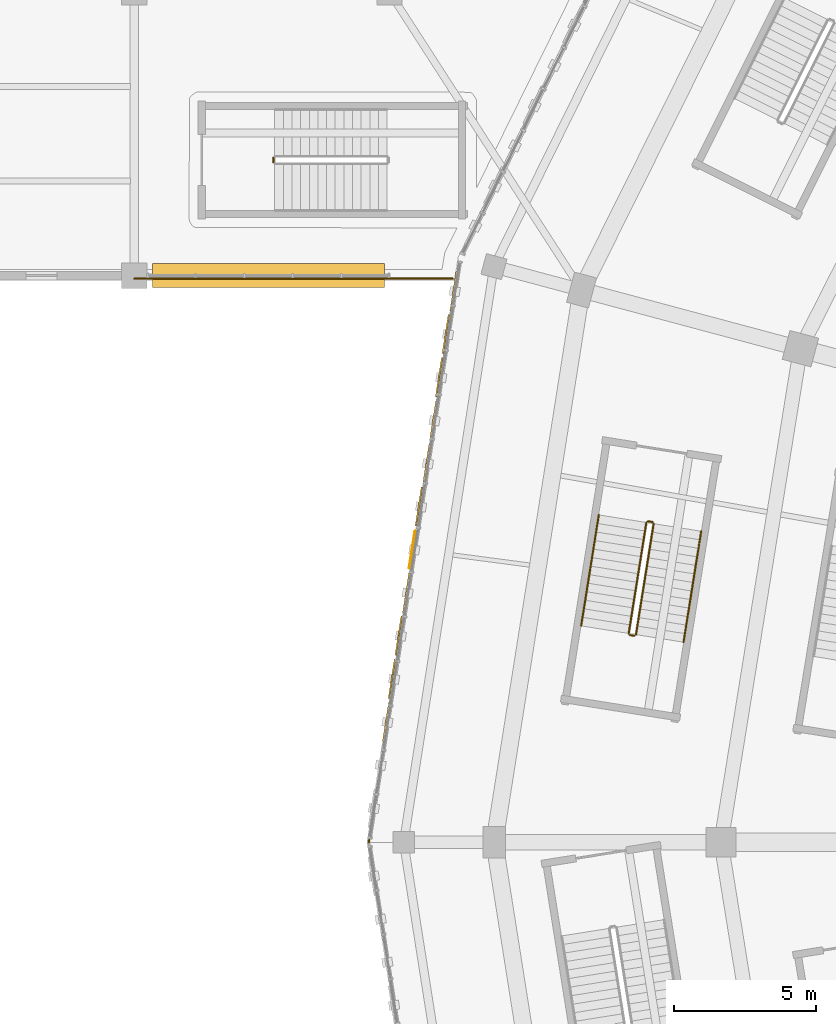
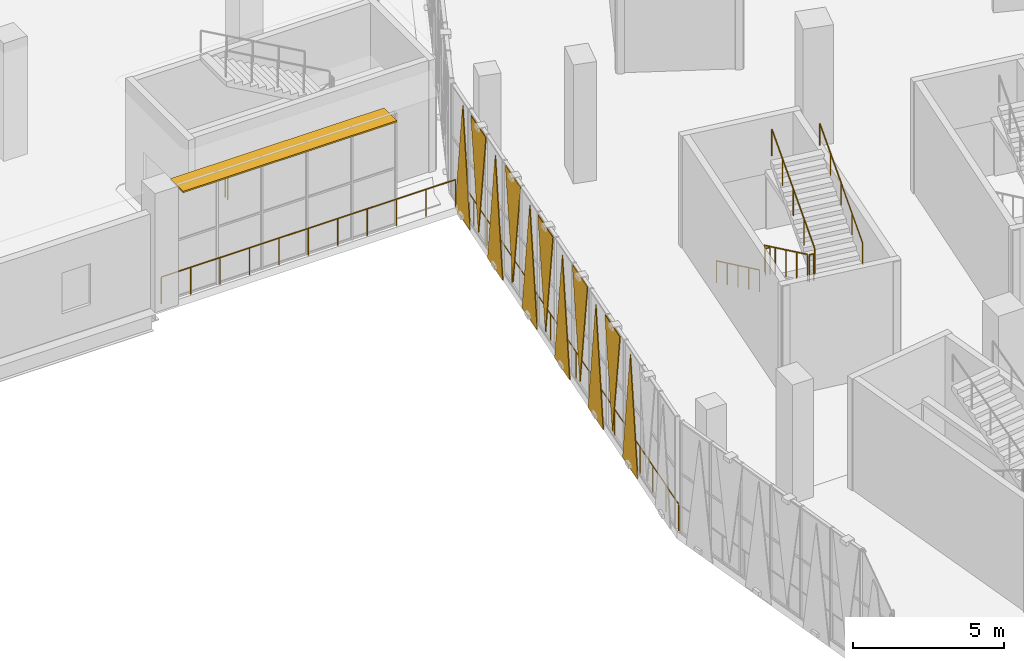
# One storey, part 139 of 183: 11 coverings, 9 railings, 1 shading device.
"""IFC4 building model written with IfcOpenShell, lengths in metres."""

import ifcopenshell
import ifcopenshell.guid

model = None  # the IFC model being written
_history = None  # IfcOwnerHistory: only IFC2X3 demands one
_inside = {}  # id of a spatial element -> (the spatial element, [elements in it])
_under = {}  # id of a project, library or spatial element -> (it, [spatial elements below it])
_declared = {}  # id of a project -> (the project, [libraries it declares])
_typed = {}  # id of a type object -> (the type object, [elements of that type])
_made_of = {}  # id of a material, layer set ... -> (it, [elements and type objects made of it])


def new_model(schema):
    """Start an empty IFC model of exactly this schema.

    Asked for "IFC4X3", IfcOpenShell would pick the latest addendum, in which some entities
    have other attributes; the version numbers below select the first issue.
    IFC2X3 requires an IfcOwnerHistory on every rooted entity: one is made here for all.
    """
    global model, _history
    if schema == "IFC4X3":
        model = ifcopenshell.file(schema_version=(4, 3, 0, 0))
    else:
        model = ifcopenshell.file(schema=schema)
    _inside.clear()
    _under.clear()
    _declared.clear()
    _typed.clear()
    _made_of.clear()
    _history = None
    if model.schema == "IFC2X3":
        org = make("IfcOrganization", Name="unknown")
        user = make(
            "IfcPersonAndOrganization",
            ThePerson=make("IfcPerson", FamilyName="unknown"),
            TheOrganization=org,
        )
        app = make(
            "IfcApplication",
            ApplicationDeveloper=org,
            Version="unknown",
            ApplicationFullName="unknown",
            ApplicationIdentifier="unknown",
        )
        _history = make(
            "IfcOwnerHistory",
            OwningUser=user,
            OwningApplication=app,
            ChangeAction="ADDED",
            CreationDate=0,
        )
    return model


def make(cls, **values):
    """One entity of the class cls with the attributes given. An attribute that is None is left unset."""
    return model.create_entity(
        cls, **{name: value for name, value in values.items() if value is not None}
    )


def rooted(cls, **values):
    """An entity with a GlobalId (a new one), such as an element, a storey or a relation."""
    return make(cls, GlobalId=ifcopenshell.guid.new(), OwnerHistory=_history, **values)


def si_unit(unit_type, name, prefix=None):
    """IfcSIUnit, for example si_unit("LENGTHUNIT", "METRE", prefix="MILLI")."""
    return make("IfcSIUnit", UnitType=unit_type, Prefix=prefix, Name=name)


def assignment(units):
    """IfcUnitAssignment: the units of a project."""
    return None if units is None else make("IfcUnitAssignment", Units=units)


def point(xyz):
    """IfcCartesianPoint."""
    return None if xyz is None else make("IfcCartesianPoint", Coordinates=xyz)


def direction(xyz):
    """IfcDirection."""
    return None if xyz is None else make("IfcDirection", DirectionRatios=xyz)


def frame(location, z_axis=None, x_axis=None):
    """IfcAxis2Placement3D, a coordinate frame: its origin and axes. An axis left out is left unset."""
    return make(
        "IfcAxis2Placement3D",
        Location=point(location),
        Axis=direction(z_axis),
        RefDirection=direction(x_axis),
    )


def frame_2d(location, x_axis=None):
    """IfcAxis2Placement2D, a coordinate frame in the plane: its origin and x axis."""
    return make(
        "IfcAxis2Placement2D", Location=point(location), RefDirection=direction(x_axis)
    )


def origin():
    """The frame at (0, 0, 0) with its axes left unset."""
    return frame((0.0, 0.0, 0.0))


def origin_2d():
    """The frame at (0, 0) in the plane with its x axis left unset."""
    return frame_2d((0.0, 0.0))


def place(relative_to, where):
    """IfcLocalPlacement: puts the frame where relative to a parent placement (None: the world)."""
    return make(
        "IfcLocalPlacement", PlacementRelTo=relative_to, RelativePlacement=where
    )


def context(
    kind, dimensions, precision=None, world=None, true_north=None, identifier=None
):
    """IfcGeometricRepresentationContext, for example the 3D "Model" context."""
    return make(
        "IfcGeometricRepresentationContext",
        ContextIdentifier=identifier,
        ContextType=kind,
        CoordinateSpaceDimension=dimensions,
        Precision=precision,
        WorldCoordinateSystem=world,
        TrueNorth=true_north,
    )


def subcontext(parent, identifier, kind, view, scale=None):
    """IfcGeometricRepresentationSubContext, for example "Body" below "Model"."""
    return make(
        "IfcGeometricRepresentationSubContext",
        ContextIdentifier=identifier,
        ContextType=kind,
        ParentContext=parent,
        TargetScale=scale,
        TargetView=view,
    )


def project(units=None, contexts=None):
    """IfcProject with its units and contexts."""
    return rooted(
        "IfcProject",
        Name="project",
        RepresentationContexts=contexts,
        UnitsInContext=assignment(units),
    )


def spatial(cls, under=None, at=None, **own):
    """A site, building, storey or space (cls), placed at a placement, below another one or the project."""
    s = rooted(cls, ObjectPlacement=at, **own)
    if under is not None:
        _under.setdefault(under.id(), (under, []))[1].append(s)
    return s


def polyline(points):
    """IfcPolyline through the points."""
    return make("IfcPolyline", Points=[point(p) for p in points])


def profile(cls, at=None, kind="AREA", **sizes):
    """A parametric profile (cls). Its sizes go by their IFC names, for example OverallWidth=200.0."""
    return make(cls, ProfileType=kind, Position=at, **sizes)


def rectangle(**sizes):
    """IfcRectangleProfileDef."""
    return profile("IfcRectangleProfileDef", **sizes)


def circle(**sizes):
    """IfcCircleProfileDef."""
    return profile("IfcCircleProfileDef", **sizes)


def outline(outer, holes=None, kind="AREA"):
    """IfcArbitraryClosedProfileDef: a profile drawn as a closed curve; with holes, ...WithVoids."""
    if holes is None:
        return make("IfcArbitraryClosedProfileDef", ProfileType=kind, OuterCurve=outer)
    return make(
        "IfcArbitraryProfileDefWithVoids",
        ProfileType=kind,
        OuterCurve=outer,
        InnerCurves=holes,
    )


def extrude(swept, where, along, depth):
    """IfcExtrudedAreaSolid: the profile swept, set in the frame where, extruded along a direction by depth."""
    return make(
        "IfcExtrudedAreaSolid",
        SweptArea=swept,
        Position=where,
        ExtrudedDirection=direction(along),
        Depth=depth,
    )


def shape(context_of_items, identifier, shape_type, items):
    """IfcShapeRepresentation: the items that make up one representation, for example the "Body"."""
    return make(
        "IfcShapeRepresentation",
        ContextOfItems=context_of_items,
        RepresentationIdentifier=identifier,
        RepresentationType=shape_type,
        Items=items,
    )


def material(Name=None, Category=None):
    """IfcMaterial."""
    return make("IfcMaterial", Name=Name, Category=Category)


def layer(
    of_material, thickness, ventilated=None, Name=None, Category=None, Priority=None
):
    """IfcMaterialLayer: one layer of a wall or slab, of a material (None: an air gap)."""
    return make(
        "IfcMaterialLayer",
        Material=of_material,
        LayerThickness=thickness,
        IsVentilated=ventilated,
        Name=Name,
        Category=Category,
        Priority=Priority,
    )


def layer_set(layers, Name=None):
    """IfcMaterialLayerSet."""
    return make("IfcMaterialLayerSet", MaterialLayers=layers, LayerSetName=Name)


def made_of(thing, what):
    """Note that an element or type object is made of a material, layer set ...; save() writes the relation."""
    if what is not None:
        _made_of.setdefault(what.id(), (what, []))[1].append(thing)
    return thing


def type_object(cls, material=None, **own):
    """A type object (cls), such as IfcWallType, which elements share."""
    return made_of(rooted(cls, **own), material)


def element(
    cls,
    number,
    at=None,
    inside=None,
    cuts=None,
    type_object=None,
    material=None,
    context=None,
    identifier="Body",
    shape_type=None,
    held_by="IfcProductDefinitionShape",
    body=None,
    shapes=None,
    **own,
):
    """One element of the class cls, such as IfcWall. Its Tag is "e" and its number.

    at: its placement. inside: the storey or other place that contains it. cuts: it is an
    opening in that element (IfcRelVoidsElement). A single representation is given by context,
    identifier, shape_type and body (its items); several are given by shapes. held_by: the class
    of the entity that holds the representations. save() writes the other relations.
    """
    e = rooted(cls, Tag="e%d" % number, ObjectPlacement=at, **own)
    if body is not None:
        shapes = [shape(context, identifier, shape_type, body)]
    if shapes is not None:
        e.Representation = make(held_by, Representations=shapes)
    if inside is not None:
        _inside.setdefault(inside.id(), (inside, []))[1].append(e)
    if cuts is not None:
        rooted(
            "IfcRelVoidsElement", RelatingBuildingElement=cuts, RelatedOpeningElement=e
        )
    if type_object is not None:
        _typed.setdefault(type_object.id(), (type_object, []))[1].append(e)
    return made_of(e, material)


def aggregate(whole, parts):
    """IfcRelAggregates: a whole, such as a stair, and the parts it consists of."""
    return rooted("IfcRelAggregates", RelatingObject=whole, RelatedObjects=parts)


def save(model, path):
    """Write the relations noted so far, then the file.

    IfcRelAggregates (storeys below a building ...), IfcRelContainedInSpatialStructure (elements
    in a storey), IfcRelDefinesByType, IfcRelAssociatesMaterial and IfcRelDeclares: one each for
    every whole, place, type object, material and project.
    """
    for whole, parts in _under.values():
        aggregate(whole, parts)
    for where, things in _inside.values():
        rooted(
            "IfcRelContainedInSpatialStructure",
            RelatedElements=things,
            RelatingStructure=where,
        )
    for kind, things in _typed.values():
        rooted("IfcRelDefinesByType", RelatedObjects=things, RelatingType=kind)
    for what, things in _made_of.values():
        rooted("IfcRelAssociatesMaterial", RelatedObjects=things, RelatingMaterial=what)
    for by, libraries in _declared.values():
        rooted("IfcRelDeclares", RelatingContext=by, RelatedDefinitions=libraries)
    model.write(path)


model = new_model("IFC4")

# Units and contexts
model_context = context("Model", 3, precision=1e-05, world=origin(), true_north=direction((0.0, 1.0)))
body_context = subcontext(model_context, "Body", "Model", "MODEL_VIEW")
ifc_project = project(units=[si_unit("LENGTHUNIT", "METRE"), si_unit("AREAUNIT", "SQUARE_METRE"), si_unit("VOLUMEUNIT", "CUBIC_METRE"), si_unit("PLANEANGLEUNIT", "RADIAN"), si_unit("MASSUNIT", "GRAM", prefix="KILO")], contexts=[model_context])

# Site, building, storey
site_placement = place(None, origin())
site = spatial("IfcSite", under=ifc_project, at=site_placement, CompositionType="ELEMENT")
building_placement = place(site_placement, origin())
building = spatial("IfcBuilding", under=site, at=building_placement, Name="Zevraka Park Crest Stadium", CompositionType="ELEMENT")
storey_placement = place(building_placement, frame((0.0, 0.0, 5.39990234375)))
storey = spatial("IfcBuildingStorey", under=building, at=storey_placement, Name="L01", CompositionType="ELEMENT", Elevation=5.39990234375)

# Coverings
ifc_material_1 = material(Name="Architectural golden-bronze perforated aluminium", Category="aluminium")
ifc_layer_1 = layer(ifc_material_1, 0.034912109375)
ifc_layer_set_1 = layer_set([ifc_layer_1], Name="Architectural golden-bronze perforated aluminium")
covering_type = type_object("IfcCoveringType", Name="CLD01", PredefinedType="CLADDING", material=ifc_layer_set_1)
covering_1_placement = place(storey_placement, frame((20.347900390625, 112.1298828125, -0.260009765625), z_axis=(-0.988000205868, 0.154452524116, 0.000104872116), x_axis=(-0.154452524965, -0.988000211302, 0.0)))
element("IfcCovering", 1, at=covering_1_placement, inside=storey, type_object=covering_type, Name="Triangular Golden-Bronze Perforated Cladding L01-11-1", PredefinedType="CLADDING", context=body_context, shape_type="SweptSolid", body=[
    extrude(outline(polyline([(0.0, 0.0), (1.3783563917015642, -3.3881317890172014e-21), (0.6891027795788266, 4.600097681546307), (0.0, 0.0)])), origin(), (0.0, 0.0, -1.0), 0.034912109375),
])
covering_2_placement = place(storey_placement, frame((19.89697265625, 109.248046875, 4.5), z_axis=(0.987977397613, -0.154598363168, 8.894839e-05), x_axis=(0.15459836378, 0.987977401521, 0.0)))
element("IfcCovering", 2, at=covering_2_placement, inside=storey, type_object=covering_type, Name="Triangular Golden-Bronze Perforated Cladding L01-11-2", PredefinedType="CLADDING", context=body_context, shape_type="SweptSolid", body=[
    extrude(outline(polyline([(0.0, 0.0), (1.3786353258463413, 0.0), (0.6892536758247599, -4.279785173180437), (0.0, 0.0)])), origin(), (0.0, 0.0, -1.0), 0.034912109375),
])
covering_3_placement = place(storey_placement, frame((19.873046875, 109.090087890625, -0.260009765625), z_axis=(0.98799431223, -0.154490244416, 5.8155496e-05), x_axis=(-0.154490244678, -0.9879943139, 0.0)))
element("IfcCovering", 3, at=covering_3_placement, inside=storey, type_object=covering_type, Name="Triangular Golden-Bronze Perforated Cladding L01-11-3", PredefinedType="CLADDING", context=body_context, shape_type="SweptSolid", body=[
    extrude(outline(polyline([(0.0, 0.0), (1.3796001557884008, 0.0), (0.6904596777847686, -4.600097664028908), (0.0, 0.0)])), origin(), (0.0, 0.0, -1.0), 0.034912109375),
])
covering_4_placement = place(storey_placement, frame((19.422119140625, 106.20703125, 4.5), z_axis=(-0.988004429804, 0.154425499693, 0.000108316949), x_axis=(0.154425500599, 0.9880044356, 0.0)))
element("IfcCovering", 4, at=covering_4_placement, inside=storey, type_object=covering_type, Name="Triangular Golden-Bronze Perforated Cladding L01-11-4", PredefinedType="CLADDING", context=body_context, shape_type="SweptSolid", body=[
    extrude(outline(polyline([(0.0, 0.0), (1.378597603206358, 0.0), (0.6891027925165095, 4.279785181356422), (0.0, 0.0)])), origin(), (0.0, 0.0, -1.0), 0.034912109375),
])
covering_5_placement = place(storey_placement, frame((19.39697265625, 106.049072265625, -0.260009765625), z_axis=(-0.988004429734, 0.154425499682, 0.000108970471), x_axis=(-0.154425500599, -0.9880044356, 0.0)))
element("IfcCovering", 5, at=covering_5_placement, inside=storey, type_object=covering_type, Name="Triangular Golden-Bronze Perforated Cladding L01-11-5", PredefinedType="CLADDING", context=body_context, shape_type="SweptSolid", body=[
    extrude(outline(polyline([(0.0, 0.0), (1.378597603206358, 0.0), (0.6893440045369196, 4.600097683562077), (0.0, 0.0)])), origin(), (0.0, 0.0, -1.0), 0.034912109375),
])
covering_6_placement = place(storey_placement, frame((18.946044921875, 103.166015625, 4.5), z_axis=(0.988021301672, -0.154317495085, 0.000134731109), x_axis=(0.154317496485, 0.98802131064, 0.0)))
element("IfcCovering", 6, at=covering_6_placement, inside=storey, type_object=covering_type, Name="Triangular Golden-Bronze Perforated Cladding L01-11-6", PredefinedType="CLADDING", context=body_context, shape_type="SweptSolid", body=[
    extrude(outline(polyline([(0.0, 0.0), (1.3795624595306466, 6.776263578034403e-21), (0.6892535397546717, -4.27978519509434), (0.0, 0.0)])), origin(), (0.0, 0.0, -1.0), 0.034912109375),
])
covering_7_placement = place(storey_placement, frame((18.922119140625, 103.008056640625, -0.260009765625), z_axis=(0.987868977422, -0.15528967435, 2.2093708e-05), x_axis=(-0.155289674388, -0.987868977663, 0.0)))
element("IfcCovering", 7, at=covering_7_placement, inside=storey, type_object=covering_type, Name="Triangular Golden-Bronze Perforated Cladding L01-11-7", PredefinedType="CLADDING", context=body_context, shape_type="SweptSolid", body=[
    extrude(outline(polyline([(0.0, 0.0), (1.3787866383835012, -8.470329472543003e-22), (0.6895328649256435, -4.600097657372728), (0.0, 0.0)])), origin(), (0.0, 0.0, -1.0), 0.034912109375),
])
covering_8_placement = place(storey_placement, frame((18.470947265625, 100.125, 4.5), z_axis=(-0.987994302166, 0.154490242843, 0.000154119859), x_axis=(0.154490244678, 0.9879943139, 0.0)))
element("IfcCovering", 8, at=covering_8_placement, inside=storey, type_object=covering_type, Name="Triangular Golden-Bronze Perforated Cladding L01-11-8", PredefinedType="CLADDING", context=body_context, shape_type="SweptSolid", body=[
    extrude(outline(polyline([(0.0, 0.0), (1.3796001557884008, -6.776263578034403e-21), (0.6900675988559086, 4.279785207078722), (0.0, 0.0)])), origin(), (0.0, 0.0, -1.0), 0.034912109375),
])
covering_9_placement = place(storey_placement, frame((18.446044921875, 99.967041015625, -0.260009765625), z_axis=(0.987977398776, -0.15459836335, 7.4549778e-05), x_axis=(-0.15459836378, -0.987977401521, 0.0)))
element("IfcCovering", 9, at=covering_9_placement, inside=storey, type_object=covering_type, Name="Triangular Golden-Bronze Perforated Cladding L01-11-9", PredefinedType="CLADDING", context=body_context, shape_type="SweptSolid", body=[
    extrude(outline(polyline([(0.0, 0.0), (1.3786353258463413, 0.0), (0.6894948812450532, -4.600097669032912), (0.0, 0.0)])), origin(), (0.0, 0.0, -1.0), 0.034912109375),
])
covering_10_placement = place(storey_placement, frame((17.9951171875, 97.0849609375, 4.5), z_axis=(0.988004429804, -0.154425499693, 0.000108316949), x_axis=(0.154425500599, 0.9880044356, 0.0)))
element("IfcCovering", 10, at=covering_10_placement, inside=storey, type_object=covering_type, Name="Triangular Golden-Bronze Perforated Cladding L01-11-10", PredefinedType="CLADDING", context=body_context, shape_type="SweptSolid", body=[
    extrude(outline(polyline([(0.0, 0.0), (1.378597603206358, 0.0), (0.6894948106898485, -4.279785181356422), (0.0, 0.0)])), origin(), (0.0, 0.0, -1.0), 0.034912109375),
])
covering_11_placement = place(storey_placement, frame((17.969970703125, 96.927001953125, -0.260009765625), z_axis=(-0.988021307121, 0.154317495936, 8.4399155e-05), x_axis=(-0.154317496485, -0.98802131064, 0.0)))
element("IfcCovering", 11, at=covering_11_placement, inside=storey, type_object=covering_type, Name="Triangular Golden-Bronze Perforated Cladding L01-11-11", PredefinedType="CLADDING", context=body_context, shape_type="SweptSolid", body=[
    extrude(outline(polyline([(0.0, 0.0), (1.3795624595306466, 0.0), (0.6891028390745102, 4.600097672633749), (0.0, 0.0)])), origin(), (0.0, 0.0, -1.0), 0.034912109375),
])

# Railings
ifc_material_2 = material(Name="Galvanised and bronze-finished steel balustrade", Category="steel")
railing_type_1 = type_object("IfcRailingType", Name="GR01", PredefinedType="GUARDRAIL", material=ifc_material_2)
railing_1_placement = place(storey_placement, frame((17.27099609375, 92.0, 0.0)))
element("IfcRailing", 12, at=railing_1_placement, inside=storey, type_object=railing_type_1, Name="Deck Edge Protection Guardrail GR01 L01-49", PredefinedType="GUARDRAIL", context=body_context, shape_type="SweptSolid", body=[
    extrude(circle(Radius=0.02392578125, at=origin_2d()), frame((0.0, 0.0, 1.076171875), z_axis=(0.154509544365, 0.987991295863, 0.0), x_axis=(-0.987991295863, 0.154509544365, 0.0)), (0.0, 0.0, 1.0), 19.985107421875),
    extrude(circle(Radius=0.02099609375, at=origin_2d()), origin(), (0.0, 0.0, 1.0), 1.052001953125),
    extrude(circle(Radius=0.02099609375, at=origin_2d()), frame((0.181640625, 1.161376953125, 0.0)), (0.0, 0.0, 1.0), 1.052001953125),
    extrude(circle(Radius=0.02099609375, at=origin_2d()), frame((0.36328125, 2.322998046875, 0.0)), (0.0, 0.0, 1.0), 1.052001953125),
    extrude(circle(Radius=0.02099609375, at=origin_2d()), frame((0.544921875, 3.484375, 0.0)), (0.0, 0.0, 1.0), 1.052001953125),
    extrude(circle(Radius=0.02099609375, at=origin_2d()), frame((0.7265625, 4.64599609375, 0.0)), (0.0, 0.0, 1.0), 1.052001953125),
    extrude(circle(Radius=0.02099609375, at=origin_2d()), frame((0.908203125, 5.807373046875, 0.0)), (0.0, 0.0, 1.0), 1.052001953125),
    extrude(circle(Radius=0.02099609375, at=origin_2d()), frame((1.08984375, 6.96875, 0.0)), (0.0, 0.0, 1.0), 1.052001953125),
    extrude(circle(Radius=0.02099609375, at=origin_2d()), frame((1.271484375, 8.13037109375, 0.0)), (0.0, 0.0, 1.0), 1.052001953125),
    extrude(circle(Radius=0.02099609375, at=origin_2d()), frame((1.453125, 9.291748046875, 0.0)), (0.0, 0.0, 1.0), 1.052001953125),
    extrude(circle(Radius=0.02099609375, at=origin_2d()), frame((1.634765625, 10.453369140625, 0.0)), (0.0, 0.0, 1.0), 1.052001953125),
    extrude(circle(Radius=0.02099609375, at=origin_2d()), frame((1.81640625, 11.61474609375, 0.0)), (0.0, 0.0, 1.0), 1.052001953125),
    extrude(circle(Radius=0.02099609375, at=origin_2d()), frame((1.998046875, 12.7763671875, 0.0)), (0.0, 0.0, 1.0), 1.052001953125),
    extrude(circle(Radius=0.02099609375, at=origin_2d()), frame((2.1796875, 13.937744140625, 0.0)), (0.0, 0.0, 1.0), 1.052001953125),
    extrude(circle(Radius=0.02099609375, at=origin_2d()), frame((2.361328125, 15.09912109375, 0.0)), (0.0, 0.0, 1.0), 1.052001953125),
    extrude(circle(Radius=0.02099609375, at=origin_2d()), frame((2.54296875, 16.2607421875, 0.0)), (0.0, 0.0, 1.0), 1.052001953125),
    extrude(circle(Radius=0.02099609375, at=origin_2d()), frame((2.724609375, 17.422119140625, 0.0)), (0.0, 0.0, 1.0), 1.052001953125),
    extrude(circle(Radius=0.02099609375, at=origin_2d()), frame((2.90625, 18.583740234375, 0.0)), (0.0, 0.0, 1.0), 1.052001953125),
    extrude(circle(Radius=0.02099609375, at=origin_2d()), frame((3.087890625, 19.7451171875, 0.0)), (0.0, 0.0, 1.0), 1.052001953125),
])
railing_2_placement = place(storey_placement, frame((20.22998046875, 111.89501953125, 0.0)))
element("IfcRailing", 13, at=railing_2_placement, inside=storey, type_object=railing_type_1, Name="Deck Edge Protection Guardrail GR01 L01-50", PredefinedType="GUARDRAIL", context=body_context, shape_type="SweptSolid", body=[
    extrude(circle(Radius=0.02392578125, at=origin_2d()), frame((0.0, 0.0, 1.076171875), z_axis=(-1.0, 0.0, 0.0), x_axis=(0.0, -1.0, 0.0)), (0.0, 0.0, 1.0), 11.239013671875),
    extrude(circle(Radius=0.02099609375, at=origin_2d()), origin(), (0.0, 0.0, 1.0), 1.052001953125),
    extrude(circle(Radius=0.02099609375, at=origin_2d()), frame((-1.1240234375, 0.0, 0.0)), (0.0, 0.0, 1.0), 1.052001953125),
    extrude(circle(Radius=0.02099609375, at=origin_2d()), frame((-2.247802734375, 0.0, 0.0)), (0.0, 0.0, 1.0), 1.052001953125),
    extrude(circle(Radius=0.02099609375, at=origin_2d()), frame((-3.37158203125, 0.0, 0.0)), (0.0, 0.0, 1.0), 1.052001953125),
    extrude(circle(Radius=0.02099609375, at=origin_2d()), frame((-4.49560546875, 0.0, 0.0)), (0.0, 0.0, 1.0), 1.052001953125),
    extrude(circle(Radius=0.02099609375, at=origin_2d()), frame((-5.61962890625, 0.0, 0.0)), (0.0, 0.0, 1.0), 1.052001953125),
    extrude(circle(Radius=0.02099609375, at=origin_2d()), frame((-6.743408203125, 0.0, 0.0)), (0.0, 0.0, 1.0), 1.052001953125),
    extrude(circle(Radius=0.02099609375, at=origin_2d()), frame((-7.8671875, 0.0, 0.0)), (0.0, 0.0, 1.0), 1.052001953125),
    extrude(circle(Radius=0.02099609375, at=origin_2d()), frame((-8.9912109375, 0.0, 0.0)), (0.0, 0.0, 1.0), 1.052001953125),
    extrude(circle(Radius=0.02099609375, at=origin_2d()), frame((-10.115234375, 0.0, 0.0)), (0.0, 0.0, 1.0), 1.052001953125),
    extrude(circle(Radius=0.02099609375, at=origin_2d()), frame((-11.239013671875, 0.0, 0.0)), (0.0, 0.0, 1.0), 1.052001953125),
])
ifc_material_3 = material(Name="Powder-coated tubular steel stairwell guard", Category="steel")
railing_type_2 = type_object("IfcRailingType", Name="GR03", PredefinedType="GUARDRAIL", material=ifc_material_3)
railing_3_placement = place(storey_placement, frame((27.066162109375, 103.285888671875, 0.171630859375)))
element("IfcRailing", 14, at=railing_3_placement, inside=storey, type_object=railing_type_2, Name="L01 ST12 stair guard 1", PredefinedType="GUARDRAIL", context=body_context, shape_type="SweptSolid", body=[
    extrude(circle(Radius=0.02392578125, at=origin_2d()), frame((0.0, 0.0, 1.076171875), z_axis=(-0.13708756972, -0.860903496765, 0.489951188881), x_axis=(0.987557931786, -0.157255624277, 0.0)), (0.0, 0.0, 1.0), 4.54833984375),
    extrude(circle(Radius=0.02099609375, at=origin_2d()), origin(), (0.0, 0.0, 1.0), 1.052001953125),
    extrude(circle(Radius=0.02099609375, at=origin_2d()), frame((-0.15576171875, -0.97900390625, 0.55712890625)), (0.0, 0.0, 1.0), 1.052001953125),
    extrude(circle(Radius=0.02099609375, at=origin_2d()), frame((-0.311767578125, -1.9580078125, 1.1142578125)), (0.0, 0.0, 1.0), 1.052001953125),
    extrude(circle(Radius=0.02099609375, at=origin_2d()), frame((-0.4677734375, -2.936767578125, 1.67138671875)), (0.0, 0.0, 1.0), 1.052001953125),
    extrude(circle(Radius=0.02099609375, at=origin_2d()), frame((-0.62353515625, -3.915771484375, 2.228515625)), (0.0, 0.0, 1.0), 1.052001953125),
])
railing_4_placement = place(storey_placement, frame((26.484130859375, 99.31298828125, 2.400146484375)))
element("IfcRailing", 15, at=railing_4_placement, inside=storey, type_object=railing_type_2, Name="L01 ST12 stair guard 2", PredefinedType="GUARDRAIL", context=body_context, shape_type="SweptSolid", body=[
    extrude(circle(Radius=0.02392578125, at=origin_2d()), frame((0.0, 0.0, 1.076171875), z_axis=(0.987564153079, -0.157216549872, 0.0), x_axis=(0.157216549872, 0.987564153079, 0.0)), (0.0, 0.0, 1.0), 0.159912109375),
    extrude(circle(Radius=0.02099609375, at=origin_2d()), origin(), (0.0, 0.0, 1.0), 1.052001953125),
    extrude(circle(Radius=0.02099609375, at=origin_2d()), frame((0.157958984375, -0.025146484375, 0.0)), (0.0, 0.0, 1.0), 1.052001953125),
])
railing_5_placement = place(storey_placement, frame((26.69921875, 99.329345703125, 2.571533203125)))
element("IfcRailing", 16, at=railing_5_placement, inside=storey, type_object=railing_type_2, Name="L01 ST12 stair guard 3", PredefinedType="GUARDRAIL", context=body_context, shape_type="SweptSolid", body=[
    extrude(circle(Radius=0.02392578125, at=origin_2d()), frame((0.0, 0.0, 1.076171875), z_axis=(0.13708756972, 0.860903496765, 0.489951188881), x_axis=(-0.987557931786, 0.157255624277, 0.0)), (0.0, 0.0, 1.0), 4.54833984375),
    extrude(circle(Radius=0.02099609375, at=origin_2d()), origin(), (0.0, 0.0, 1.0), 1.052001953125),
    extrude(circle(Radius=0.02099609375, at=origin_2d()), frame((0.15576171875, 0.97900390625, 0.55712890625)), (0.0, 0.0, 1.0), 1.052001953125),
    extrude(circle(Radius=0.02099609375, at=origin_2d()), frame((0.311767578125, 1.9580078125, 1.1142578125)), (0.0, 0.0, 1.0), 1.052001953125),
    extrude(circle(Radius=0.02099609375, at=origin_2d()), frame((0.4677734375, 2.936767578125, 1.67138671875)), (0.0, 0.0, 1.0), 1.052001953125),
    extrude(circle(Radius=0.02099609375, at=origin_2d()), frame((0.62353515625, 3.915771484375, 2.228515625)), (0.0, 0.0, 1.0), 1.052001953125),
])
railing_6_placement = place(storey_placement, frame((27.123291015625, 103.327392578125, 0.0)))
element("IfcRailing", 17, at=railing_6_placement, inside=storey, type_object=railing_type_2, Name="L01 ST12 stair guard 4", PredefinedType="GUARDRAIL", context=body_context, shape_type="SweptSolid", body=[
    extrude(circle(Radius=0.02392578125, at=origin_2d()), frame((0.0, 0.0, 1.076171875), z_axis=(0.987564153079, -0.157216549872, 0.0), x_axis=(0.157216549872, 0.987564153079, 0.0)), (0.0, 0.0, 1.0), 0.159912109375),
    extrude(circle(Radius=0.02099609375, at=origin_2d()), origin(), (0.0, 0.0, 1.0), 1.052001953125),
    extrude(circle(Radius=0.02099609375, at=origin_2d()), frame((0.157958984375, -0.025146484375, 0.0)), (0.0, 0.0, 1.0), 1.052001953125),
])
railing_7_placement = place(storey_placement, frame((13.89990234375, 116.0, 0.0)))
element("IfcRailing", 18, at=railing_7_placement, inside=storey, type_object=railing_type_2, Name="L01 ST48 stair guard 4", PredefinedType="GUARDRAIL", context=body_context, shape_type="SweptSolid", body=[
    extrude(circle(Radius=0.02392578125, at=origin_2d()), frame((0.0, 0.0, 1.076171875), z_axis=(0.0, 1.0, 0.0), x_axis=(-1.0, 0.0, 0.0)), (0.0, 0.0, 1.0), 0.159912109375),
    extrude(circle(Radius=0.02099609375, at=origin_2d()), origin(), (0.0, 0.0, 1.0), 1.052001953125),
    extrude(circle(Radius=0.02099609375, at=origin_2d()), frame((0.0, 0.159912109375, 0.0)), (0.0, 0.0, 1.0), 1.052001953125),
])
ifc_material_4 = material(Name="Brushed stainless steel continuous handrail", Category="steel")
railing_type_3 = type_object("IfcRailingType", Name="HR01", PredefinedType="HANDRAIL", material=ifc_material_4)
railing_8_placement = place(storey_placement, frame((25.38720703125, 103.55322265625, 0.171630859375)))
element("IfcRailing", 19, at=railing_8_placement, inside=storey, type_object=railing_type_3, Name="L01 ST12 stair handrail 1", PredefinedType="HANDRAIL", context=body_context, shape_type="SweptSolid", body=[
    extrude(circle(Radius=0.02392578125, at=origin_2d()), frame((0.0, 0.0, 0.8759765625), z_axis=(-0.137093904715, -0.860889602123, 0.489973830165), x_axis=(0.987556409005, -0.157265186968, 0.0)), (0.0, 0.0, 1.0), 4.54833984375),
    extrude(circle(Radius=0.02099609375, at=origin_2d()), origin(), (0.0, 0.0, 1.0), 0.851806640625),
    extrude(circle(Radius=0.02099609375, at=origin_2d()), frame((-0.15576171875, -0.97900390625, 0.55712890625)), (0.0, 0.0, 1.0), 0.851806640625),
    extrude(circle(Radius=0.02099609375, at=origin_2d()), frame((-0.311767578125, -1.957763671875, 1.1142578125)), (0.0, 0.0, 1.0), 0.851806640625),
    extrude(circle(Radius=0.02099609375, at=origin_2d()), frame((-0.4677734375, -2.9365234375, 1.67138671875)), (0.0, 0.0, 1.0), 0.851806640625),
    extrude(circle(Radius=0.02099609375, at=origin_2d()), frame((-0.62353515625, -3.91552734375, 2.228515625)), (0.0, 0.0, 1.0), 0.851806640625),
])
railing_9_placement = place(storey_placement, frame((28.378173828125, 99.06201171875, 2.571533203125)))
element("IfcRailing", 20, at=railing_9_placement, inside=storey, type_object=railing_type_3, Name="L01 ST12 stair handrail 2", PredefinedType="HANDRAIL", context=body_context, shape_type="SweptSolid", body=[
    extrude(circle(Radius=0.02392578125, at=origin_2d()), frame((0.0, 0.0, 0.8759765625), z_axis=(0.13708756972, 0.860903496765, 0.489951188881), x_axis=(-0.987557931786, 0.157255624277, 0.0)), (0.0, 0.0, 1.0), 4.54833984375),
    extrude(circle(Radius=0.02099609375, at=origin_2d()), origin(), (0.0, 0.0, 1.0), 0.851806640625),
    extrude(circle(Radius=0.02099609375, at=origin_2d()), frame((0.15576171875, 0.97900390625, 0.55712890625)), (0.0, 0.0, 1.0), 0.851806640625),
    extrude(circle(Radius=0.02099609375, at=origin_2d()), frame((0.311767578125, 1.9580078125, 1.1142578125)), (0.0, 0.0, 1.0), 0.851806640625),
    extrude(circle(Radius=0.02099609375, at=origin_2d()), frame((0.4677734375, 2.936767578125, 1.67138671875)), (0.0, 0.0, 1.0), 0.851806640625),
    extrude(circle(Radius=0.02099609375, at=origin_2d()), frame((0.62353515625, 3.915771484375, 2.228515625)), (0.0, 0.0, 1.0), 0.851806640625),
])

# Shading device
ifc_material_5 = material(Name="Architectural golden-bronze anodised bronze", Category="aluminium")
ifc_layer_2 = layer(ifc_material_5, 0.06005859375)
ifc_layer_set_2 = layer_set([ifc_layer_2], Name="Architectural golden-bronze anodised bronze")
shading_device_type = type_object("IfcShadingDeviceType", Name="SHD01", PredefinedType="USERDEFINED", material=ifc_layer_set_2)
shading_device_placement = place(storey_placement, frame((13.72802734375, 112.0, 4.440185546875), z_axis=(0.0, 0.0, 1.0), x_axis=(-1.0, 0.0, 0.0)))
element("IfcShadingDevice", 21, at=shading_device_placement, inside=storey, type_object=shading_device_type, Name="Wing Bronze Solar Screen SHD01 L01-NW-S0-2", ObjectType="SOLAR SCREEN", PredefinedType="USERDEFINED", context=body_context, shape_type="SweptSolid", body=[
    extrude(rectangle(XDim=8.175048828125, YDim=0.85009765625, at=origin_2d()), origin(), (0.0, 0.0, 1.0), 0.06005859375),
])

save(model, "model.ifc")
